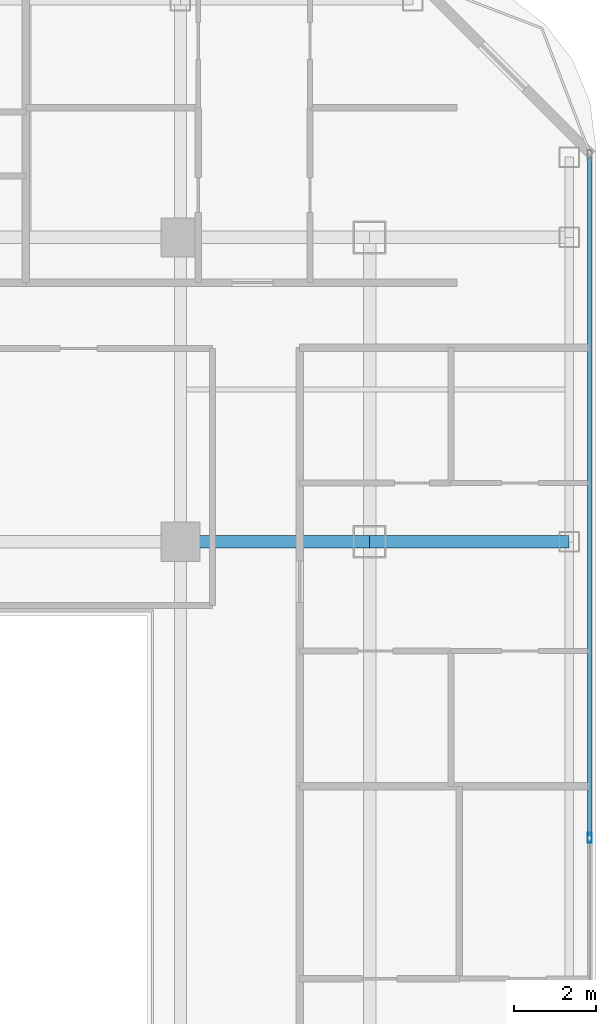
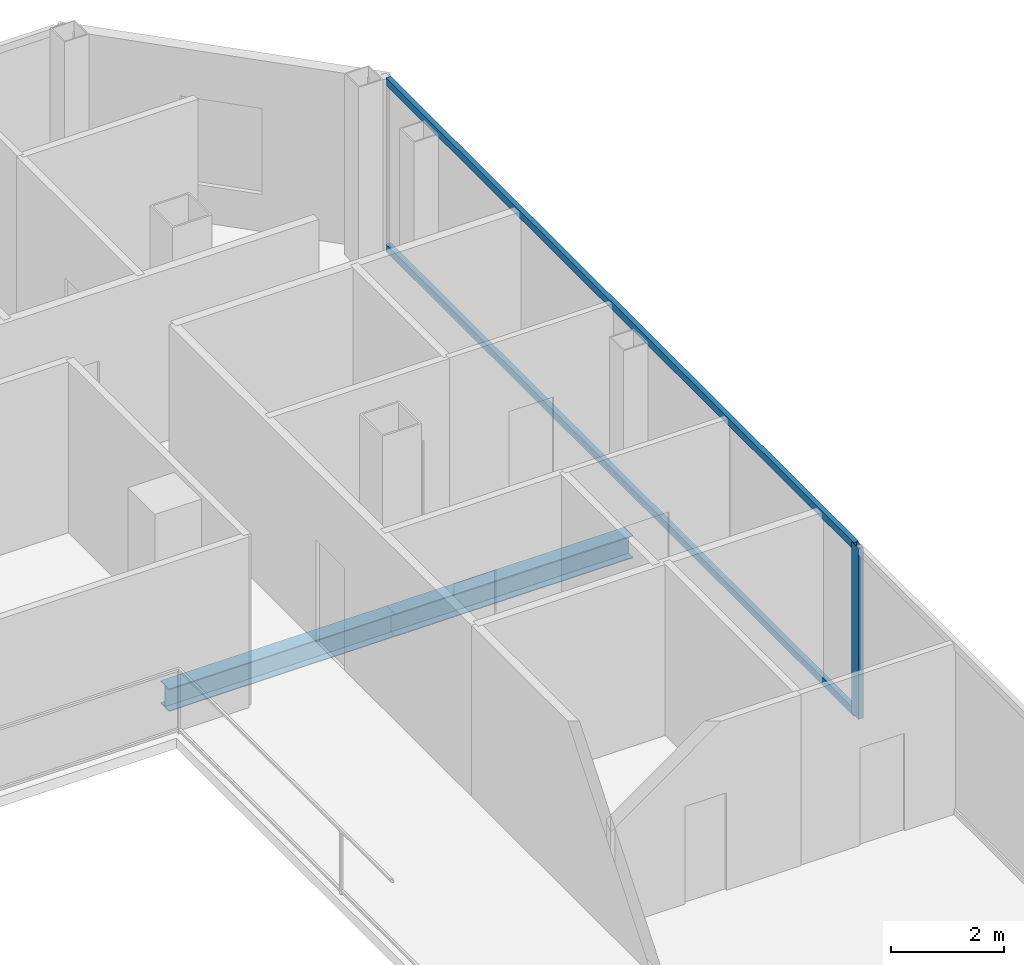
# One storey, part 9 of 23: 3 members, 2 beams, 1 element without a shape of its own.
"""IFC4 building model written with IfcOpenShell, lengths in metres."""

from ifc_helpers import new_model, si_unit, direction, frame, origin, origin_2d, place, context, subcontext, project, spatial, hollow_rectangle, i_section, extrude, material, layer, layer_set, material_profile, profile_set, type_object, element, aggregate, save


model = new_model("IFC4")

# Units and contexts
model_context = context("Model", 3, precision=1e-05, world=origin(), true_north=direction((0.0, 1.0)))
body_context = subcontext(model_context, "Body", "Model", "MODEL_VIEW")
ifc_project = project(units=[si_unit("LENGTHUNIT", "METRE"), si_unit("AREAUNIT", "SQUARE_METRE"), si_unit("VOLUMEUNIT", "CUBIC_METRE"), si_unit("PLANEANGLEUNIT", "RADIAN"), si_unit("MASSUNIT", "GRAM", prefix="KILO")], contexts=[model_context])

# Site, building, storey
site_placement = place(None, origin())
site = spatial("IfcSite", under=ifc_project, at=site_placement, CompositionType="ELEMENT")
building_placement = place(site_placement, origin())
building = spatial("IfcBuilding", under=site, at=building_placement, Name="Khorvyn Point Tower", CompositionType="ELEMENT")
storey_placement = place(building_placement, frame((0.0, 0.0, 258.60009765625)))
storey = spatial("IfcBuildingStorey", under=building, at=storey_placement, Name="L63", CompositionType="ELEMENT", Elevation=258.60009765625)

# Curtain wall, members
ifc_material_1 = material(Name="Anodised aluminium 6063-T6 and laminated Low-E glass", Category="aluminium")
ifc_layer = layer(ifc_material_1, 0.18994140625)
ifc_layer_set = layer_set([ifc_layer], Name="Stick-Built High-Wind Curtain Wall CW-SYS-04")
curtain_wall_type = type_object("IfcCurtainWallType", Name="Stick-Built High-Wind Curtain Wall CW-SYS-04", PredefinedType="NOTDEFINED", material=ifc_layer_set)
curtain_wall_placement = place(storey_placement, origin())
curtain_wall = element("IfcCurtainWall", 1, at=curtain_wall_placement, inside=storey, type_object=curtain_wall_type, Name="Curtain Wall", PredefinedType="NOTDEFINED")
ifc_material_2 = material(Name="Anodised aluminium 6063-T6", Category="aluminium")
ifc_material_profile_1 = material_profile(ifc_material_2, hollow_rectangle(XDim=0.10009765625, YDim=0.239990234375, WallThickness=0.0048828125, at=origin_2d()))
ifc_profile_set_1 = profile_set([ifc_material_profile_1], Name="Anodised aluminium 6063-T6 ALU-MUL-100x240")
member_type_1 = type_object("IfcMemberType", Name="Anodised Aluminium 6063-T6 Mullion ALU-MUL-100x240", PredefinedType="MULLION", material=ifc_profile_set_1)
member_1_placement = place(storey_placement, frame((24.75, 0.199951171875, 0.0), z_axis=(0.0, 0.0, 1.0), x_axis=(1.0, 0.0, 0.0)))
member_1 = element("IfcMember", 2, at=member_1_placement, type_object=member_type_1, Name="Transom", PredefinedType="MULLION", context=body_context, shape_type="SweptSolid", body=[
    extrude(hollow_rectangle(XDim=0.10009765625, YDim=0.239990234375, WallThickness=0.0048828125, at=origin_2d()), origin(), (0.0, 0.0, 1.0), 3.679931640625),
])
ifc_material_profile_2 = material_profile(ifc_material_2, hollow_rectangle(XDim=0.10009765625, YDim=0.159912109375, WallThickness=0.00439453125, at=origin_2d()))
ifc_profile_set_2 = profile_set([ifc_material_profile_2], Name="Anodised aluminium 6063-T6 ALU-TRN-100x160")
member_type_2 = type_object("IfcMemberType", Name="Anodised Aluminium 6063-T6 Transom ALU-TRN-100x160", PredefinedType="USERDEFINED", material=ifc_profile_set_2)
member_2_placement = place(storey_placement, frame((24.75, 16.75, 0.0498046875), z_axis=(0.0, -1.0, 0.0), x_axis=(1.0, 0.0, 0.0)))
member_2 = element("IfcMember", 3, at=member_2_placement, type_object=member_type_2, Name="Transom", ObjectType="TRANSOM", PredefinedType="USERDEFINED", context=body_context, shape_type="SweptSolid", body=[
    extrude(hollow_rectangle(XDim=0.10009765625, YDim=0.159912109375, WallThickness=0.00439453125, at=origin_2d()), origin(), (0.0, 0.0, 1.0), 16.5),
])
member_3_placement = place(storey_placement, frame((24.75, 16.75, 3.6298828125), z_axis=(0.0, -1.0, 0.0), x_axis=(1.0, 0.0, 0.0)))
member_3 = element("IfcMember", 4, at=member_3_placement, type_object=member_type_2, Name="Transom", ObjectType="TRANSOM", PredefinedType="USERDEFINED", context=body_context, shape_type="SweptSolid", body=[
    extrude(hollow_rectangle(XDim=0.10009765625, YDim=0.159912109375, WallThickness=0.00439453125, at=origin_2d()), origin(), (0.0, 0.0, 1.0), 16.5),
])
aggregate(curtain_wall, [member_1, member_2, member_3])

# Beams
ifc_material_3 = material(Name="Steel S355", Category="steel")
ifc_material_profile_3 = material_profile(ifc_material_3, i_section(OverallWidth=0.300048828125, OverallDepth=0.488037109375, WebThickness=0.010986328125, FlangeThickness=0.01806640625, at=origin_2d()))
ifc_profile_set_3 = profile_set([ifc_material_profile_3], Name="Steel S355 H488x300x11x18")
beam_type = type_object("IfcBeamType", Name="Steel S355 Spandrel H488x300x11x18", PredefinedType="SPANDREL", material=ifc_profile_set_3)
beam_1_placement = place(storey_placement, frame((14.800048828125, 7.39990234375, -0.464111328125), z_axis=(1.0, 0.0, 0.0), x_axis=(0.0, 1.0, 0.0)))
element("IfcBeam", 5, at=beam_1_placement, inside=storey, type_object=beam_type, Name="Beam", PredefinedType="SPANDREL", context=body_context, shape_type="SweptSolid", body=[
    extrude(i_section(OverallWidth=0.300048828125, OverallDepth=0.488037109375, WebThickness=0.010986328125, FlangeThickness=0.01806640625, at=origin_2d()), origin(), (0.0, 0.0, 1.0), 4.599853515625),
])
beam_2_placement = place(storey_placement, frame((19.39990234375, 7.39990234375, -0.464111328125), z_axis=(1.0, 0.0, 0.0), x_axis=(0.0, 1.0, 0.0)))
element("IfcBeam", 6, at=beam_2_placement, inside=storey, type_object=beam_type, Name="Beam", PredefinedType="SPANDREL", context=body_context, shape_type="SweptSolid", body=[
    extrude(i_section(OverallWidth=0.300048828125, OverallDepth=0.488037109375, WebThickness=0.010986328125, FlangeThickness=0.01806640625, at=origin_2d()), origin(), (0.0, 0.0, 1.0), 4.85009765625),
])

save(model, "model.ifc")
